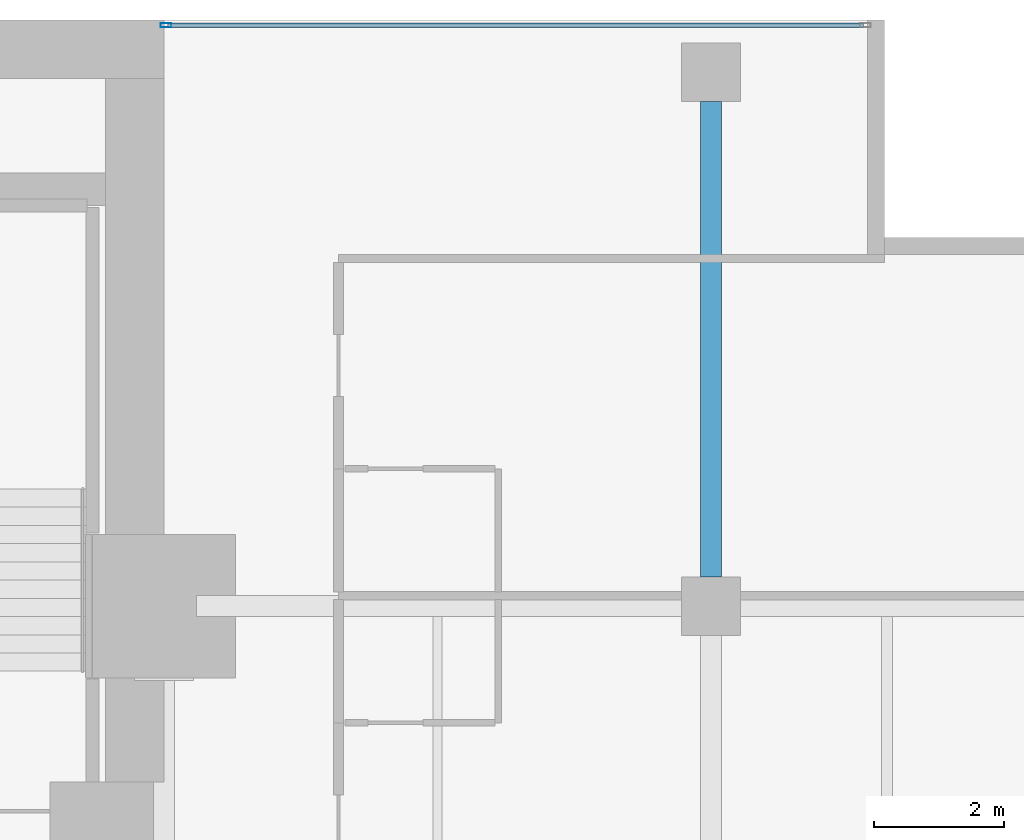
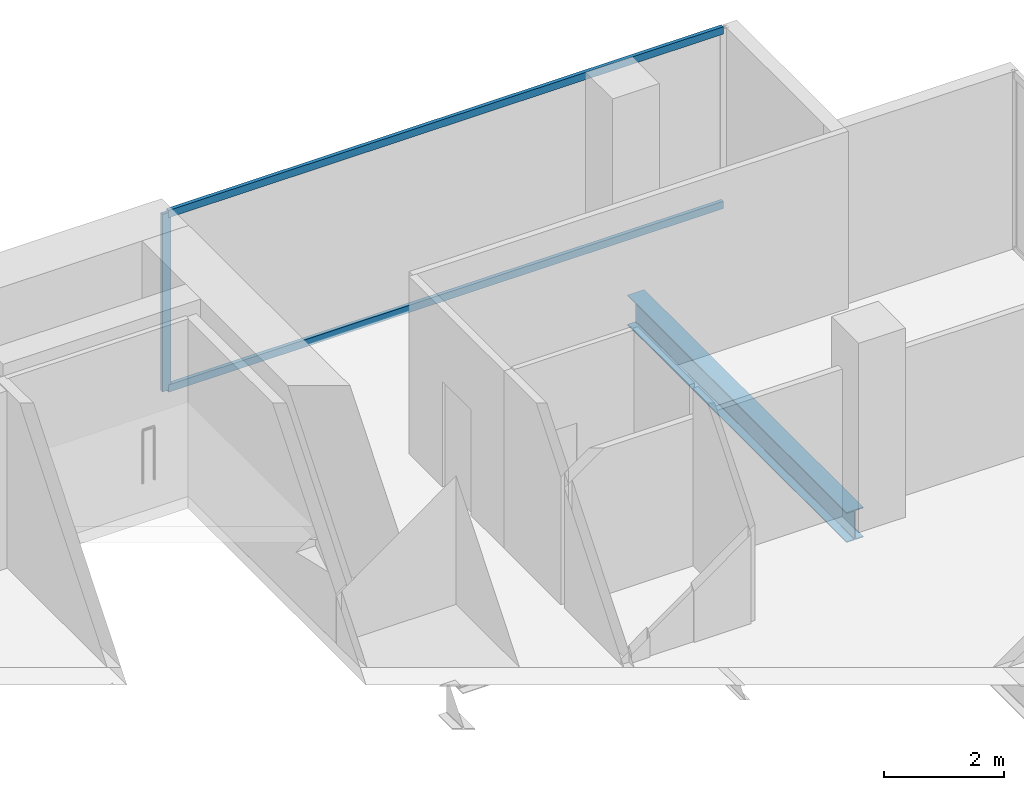
# One storey, part 30 of 40: 3 members, 1 beam, 1 element without a shape of its own.
"""IFC4 building model written with IfcOpenShell, lengths in metres."""

from ifc_helpers import new_model, si_unit, direction, frame, origin, origin_2d, place, context, subcontext, project, spatial, hollow_rectangle, i_section, extrude, material, layer, layer_set, material_profile, profile_set, type_object, element, aggregate, save


model = new_model("IFC4")

# Units and contexts
model_context = context("Model", 3, precision=1e-05, world=origin(), true_north=direction((0.0, 1.0)))
body_context = subcontext(model_context, "Body", "Model", "MODEL_VIEW")
ifc_project = project(units=[si_unit("LENGTHUNIT", "METRE"), si_unit("AREAUNIT", "SQUARE_METRE"), si_unit("VOLUMEUNIT", "CUBIC_METRE"), si_unit("PLANEANGLEUNIT", "RADIAN"), si_unit("MASSUNIT", "GRAM", prefix="KILO")], contexts=[model_context])

# Site, building, storey
site_placement = place(None, origin())
site = spatial("IfcSite", under=ifc_project, at=site_placement, CompositionType="ELEMENT")
building_placement = place(site_placement, origin())
building = spatial("IfcBuilding", under=site, at=building_placement, Name="Maruvema Waterfront Hotel and Observation Tower", CompositionType="ELEMENT")
storey_placement = place(building_placement, frame((0.0, 0.0, 77.0)))
storey = spatial("IfcBuildingStorey", under=building, at=storey_placement, Name="L18", CompositionType="ELEMENT", Elevation=77.0)

# Curtain wall, members
ifc_material_1 = material(Name="Anodised bronze aluminium and solar-control low-E IGU", Category="aluminium")
ifc_layer = layer(ifc_material_1, 0.159912109375, Name="Zone 1 Bronze Inner Thermal Curtain Wall System CW-02")
ifc_layer_set = layer_set([ifc_layer], Name="Anodised bronze aluminium and solar-control low-E IGU")
curtain_wall_type = type_object("IfcCurtainWallType", Name="Zone 1 Bronze Inner Thermal Curtain Wall System CW-02", PredefinedType="USERDEFINED", material=ifc_layer_set)
curtain_wall_placement = place(storey_placement, origin())
curtain_wall = element("IfcCurtainWall", 1, at=curtain_wall_placement, inside=storey, type_object=curtain_wall_type, Name="L18 Curtain Wall CW-L18-NE", ObjectType="UNITISED CURTAIN WALL", PredefinedType="USERDEFINED")
ifc_material_2 = material(Name="Anodised architectural bronze aluminium", Category="aluminium")
ifc_material_profile_1 = material_profile(ifc_material_2, hollow_rectangle(XDim=0.070068359375, YDim=0.14990234375, WallThickness=0.00390625, at=origin_2d()), Name="ALU-T70x150")
ifc_profile_set_1 = profile_set([ifc_material_profile_1], Name="Anodised architectural bronze aluminium")
member_type_1 = type_object("IfcMemberType", Name="Curtain Wall Horizontal Transom ALU-T70x150", PredefinedType="USERDEFINED", material=ifc_profile_set_1)
member_1_placement = place(storey_placement, frame((61.139892578125, 53.919921875, 0.030029296875), z_axis=(-1.0, 0.0, 0.0), x_axis=(0.0, -1.0, 0.0)))
member_1 = element("IfcMember", 2, at=member_1_placement, type_object=member_type_1, Name="CW-02 transom 1.1", ObjectType="TRANSOM", PredefinedType="USERDEFINED", context=body_context, shape_type="SweptSolid", body=[
    extrude(hollow_rectangle(XDim=0.070068359375, YDim=0.14990234375, WallThickness=0.00390625, at=origin_2d()), origin(), (0.0, 0.0, 1.0), 10.679931640625),
])
member_2_placement = place(storey_placement, frame((61.139892578125, 53.919921875, 3.580078125), z_axis=(-1.0, 0.0, 0.0), x_axis=(0.0, -1.0, 0.0)))
member_2 = element("IfcMember", 3, at=member_2_placement, type_object=member_type_1, Name="CW-02 transom 1.2", ObjectType="TRANSOM", PredefinedType="USERDEFINED", context=body_context, shape_type="SweptSolid", body=[
    extrude(hollow_rectangle(XDim=0.070068359375, YDim=0.14990234375, WallThickness=0.00390625, at=origin_2d()), origin(), (0.0, 0.0, 1.0), 10.679931640625),
])
ifc_material_3 = material(Name="Anodised architectural bronze aluminium", Category="aluminium")
ifc_material_profile_2 = material_profile(ifc_material_3, hollow_rectangle(XDim=0.06494140625, YDim=0.1650390625, WallThickness=0.00390625, at=origin_2d()), Name="ALU-M65x165")
ifc_profile_set_2 = profile_set([ifc_material_profile_2], Name="Anodised architectural bronze aluminium")
member_type_2 = type_object("IfcMemberType", Name="Curtain Wall Primary Mullion ALU-M65x165", PredefinedType="MULLION", material=ifc_profile_set_2)
member_3_placement = place(storey_placement, frame((50.429931640625, 53.919921875, 0.0), z_axis=(0.0, 0.0, 1.0), x_axis=(0.0, -1.0, 0.0)))
member_3 = element("IfcMember", 4, at=member_3_placement, type_object=member_type_2, Name="CW-02 mullion 2", PredefinedType="MULLION", context=body_context, shape_type="SweptSolid", body=[
    extrude(hollow_rectangle(XDim=0.06494140625, YDim=0.1650390625, WallThickness=0.00390625, at=origin_2d()), origin(), (0.0, 0.0, 1.0), 3.610107421875),
])
aggregate(curtain_wall, [member_3, member_1, member_2])

# Beam
ifc_material_4 = material(Name="Steel ASTM A572 Grade 50", Category="steel")
ifc_material_profile_3 = material_profile(ifc_material_4, i_section(OverallWidth=0.323974609375, OverallDepth=0.611083984375, WebThickness=0.0126953125, FlangeThickness=0.01904296875, FilletRadius=0.01806640625, at=origin_2d()), Name="W610x155.0")
ifc_profile_set_3 = profile_set([ifc_material_profile_3], Name="Steel ASTM A572 Grade 50")
beam_type = type_object("IfcBeamType", Name="Primary Floor Girder W610x155.0", PredefinedType="BEAM", material=ifc_profile_set_3)
beam_placement = place(storey_placement, frame((58.800048828125, 45.449951171875, -0.54541015625), z_axis=(0.0, 1.0, 0.0), x_axis=(-1.0, 0.0, 0.0)))
element("IfcBeam", 5, at=beam_placement, inside=storey, type_object=beam_type, Name="L18 Floor Girder NS-32", PredefinedType="BEAM", context=body_context, shape_type="SweptSolid", body=[
    extrude(i_section(OverallWidth=0.323974609375, OverallDepth=0.611083984375, WebThickness=0.0126953125, FlangeThickness=0.01904296875, FilletRadius=0.01806640625, at=origin_2d()), origin(), (0.0, 0.0, 1.0), 7.300048828125),
])

save(model, "model.ifc")
